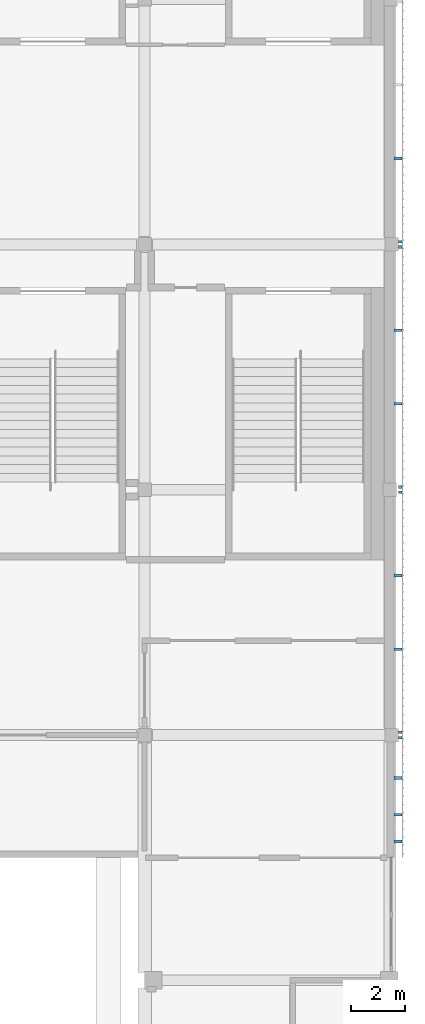
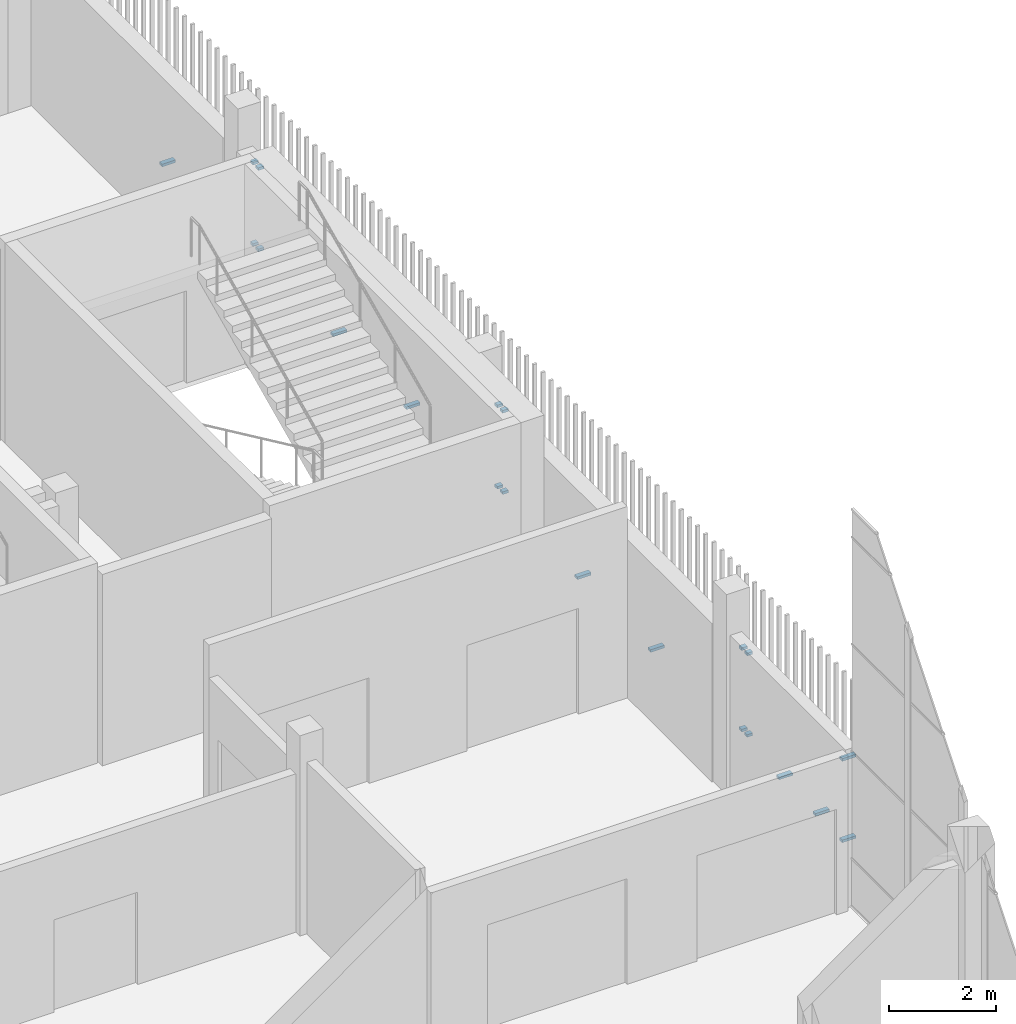
# One storey, part 72 of 91: 21 discrete accessories.
"""IFC4 building model written with IfcOpenShell, lengths in metres."""

from ifc_helpers import new_model, si_unit, direction, frame, origin, origin_2d, place, context, subcontext, project, spatial, rectangle, extrude, material, type_object, element, save


model = new_model("IFC4")

# Units and contexts
model_context = context("Model", 3, precision=1e-05, world=origin(), true_north=direction((0.0, 1.0)))
body_context = subcontext(model_context, "Body", "Model", "MODEL_VIEW")
ifc_project = project(units=[si_unit("LENGTHUNIT", "METRE"), si_unit("AREAUNIT", "SQUARE_METRE"), si_unit("VOLUMEUNIT", "CUBIC_METRE"), si_unit("PLANEANGLEUNIT", "RADIAN"), si_unit("MASSUNIT", "GRAM", prefix="KILO")], contexts=[model_context])

# Site, building, storey
site_placement = place(None, origin())
site = spatial("IfcSite", under=ifc_project, at=site_placement, CompositionType="ELEMENT")
building_placement = place(site_placement, origin())
building = spatial("IfcBuilding", under=site, at=building_placement, Name="Shirokan Park Arena", CompositionType="ELEMENT")
storey_placement = place(building_placement, frame((0.0, 0.0, 24.570068359375)))
storey = spatial("IfcBuildingStorey", under=building, at=storey_placement, Name="L05", CompositionType="ELEMENT", Elevation=24.570068359375)

# Discrete accessories
ifc_material = material(Name="Steel S355", Category="steel")
discrete_accessory_type = type_object("IfcDiscreteAccessoryType", Name="Veil bracket 100x60", PredefinedType="BRACKET", material=ifc_material)
discrete_accessory_1_placement = place(storey_placement, frame((145.8974609375, 68.85009765625, 1.06982421875), z_axis=(0.0, 0.0, 1.0), x_axis=(0.0, 1.0, 0.0)))
element("IfcDiscreteAccessory", 1, at=discrete_accessory_1_placement, inside=storey, type_object=discrete_accessory_type, Name="Veil bracket east bay 8 L05 1", PredefinedType="BRACKET", context=body_context, shape_type="SweptSolid", body=[
    extrude(rectangle(XDim=0.10009765625, YDim=0.294921875, at=origin_2d()), origin(), (0.0, 0.0, 1.0), 0.06005859375),
])
discrete_accessory_2_placement = place(storey_placement, frame((145.985107421875, 72.699951171875, 1.06982421875), z_axis=(0.0, 0.0, 1.0), x_axis=(0.0, 1.0, 0.0)))
element("IfcDiscreteAccessory", 2, at=discrete_accessory_2_placement, inside=storey, type_object=discrete_accessory_type, Name="Veil bracket east bay 8 L05 2", PredefinedType="BRACKET", context=body_context, shape_type="SweptSolid", body=[
    extrude(rectangle(XDim=0.10009765625, YDim=0.1201171875, at=origin_2d()), origin(), (0.0, 0.0, 1.0), 0.06005859375),
])
discrete_accessory_3_placement = place(storey_placement, frame((145.8974609375, 68.85009765625, 2.919921875), z_axis=(0.0, 0.0, 1.0), x_axis=(0.0, 1.0, 0.0)))
element("IfcDiscreteAccessory", 3, at=discrete_accessory_3_placement, inside=storey, type_object=discrete_accessory_type, Name="Veil bracket east bay 8 L05 3", PredefinedType="BRACKET", context=body_context, shape_type="SweptSolid", body=[
    extrude(rectangle(XDim=0.10009765625, YDim=0.294921875, at=origin_2d()), origin(), (0.0, 0.0, 1.0), 0.06005859375),
])
discrete_accessory_4_placement = place(storey_placement, frame((145.985107421875, 72.699951171875, 2.919921875), z_axis=(0.0, 0.0, 1.0), x_axis=(0.0, 1.0, 0.0)))
element("IfcDiscreteAccessory", 4, at=discrete_accessory_4_placement, inside=storey, type_object=discrete_accessory_type, Name="Veil bracket east bay 8 L05 4", PredefinedType="BRACKET", context=body_context, shape_type="SweptSolid", body=[
    extrude(rectangle(XDim=0.10009765625, YDim=0.1201171875, at=origin_2d()), origin(), (0.0, 0.0, 1.0), 0.06005859375),
])
for number, where, z_axis, x_axis, name in (
    (5, (145.8974609375, 69.842529296875, 1.06982421875), (0.0, 0.0, 1.0), (0.0, 1.0, 0.0), "Veil bracket east bay 8 L05 wall 1"),
    (6, (145.8974609375, 71.20751953125, 1.06982421875), (0.0, 0.0, 1.0), (0.0, 1.0, 0.0), "Veil bracket east bay 8 L05 wall 2"),
):
    element("IfcDiscreteAccessory", number, at=place(storey_placement, frame(where, z_axis=z_axis, x_axis=x_axis)), inside=storey, type_object=discrete_accessory_type, Name=name, PredefinedType="BRACKET", context=body_context, shape_type="SweptSolid", body=[
        extrude(rectangle(XDim=0.10009765625, YDim=0.294921875, at=origin_2d()), origin(), (0.0, 0.0, 1.0), 0.06005859375),
    ])
for number, where, z_axis, x_axis, name in (
    (7, (145.985107421875, 72.89990234375, 1.06982421875), (0.0, 0.0, 1.0), (0.0, 1.0, 0.0), "Veil bracket east bay 9 L05 1"),
    (8, (145.985107421875, 81.800048828125, 1.06982421875), (0.0, 0.0, 1.0), (0.0, 1.0, 0.0), "Veil bracket east bay 9 L05 2"),
    (9, (145.985107421875, 72.89990234375, 2.919921875), (0.0, 0.0, 1.0), (0.0, 1.0, 0.0), "Veil bracket east bay 9 L05 3"),
    (10, (145.985107421875, 81.800048828125, 2.919921875), (0.0, 0.0, 1.0), (0.0, 1.0, 0.0), "Veil bracket east bay 9 L05 4"),
):
    element("IfcDiscreteAccessory", number, at=place(storey_placement, frame(where, z_axis=z_axis, x_axis=x_axis)), inside=storey, type_object=discrete_accessory_type, Name=name, PredefinedType="BRACKET", context=body_context, shape_type="SweptSolid", body=[
        extrude(rectangle(XDim=0.10009765625, YDim=0.1201171875, at=origin_2d()), origin(), (0.0, 0.0, 1.0), 0.06005859375),
    ])
for number, where, z_axis, x_axis, name in (
    (11, (145.8974609375, 75.985107421875, 1.06982421875), (0.0, 0.0, 1.0), (0.0, 1.0, 0.0), "Veil bracket east bay 9 L05 wall 1"),
    (12, (145.8974609375, 78.715087890625, 1.06982421875), (0.0, 0.0, 1.0), (0.0, 1.0, 0.0), "Veil bracket east bay 9 L05 wall 2"),
):
    element("IfcDiscreteAccessory", number, at=place(storey_placement, frame(where, z_axis=z_axis, x_axis=x_axis)), inside=storey, type_object=discrete_accessory_type, Name=name, PredefinedType="BRACKET", context=body_context, shape_type="SweptSolid", body=[
        extrude(rectangle(XDim=0.10009765625, YDim=0.294921875, at=origin_2d()), origin(), (0.0, 0.0, 1.0), 0.06005859375),
    ])
for number, where, z_axis, x_axis, name in (
    (13, (145.985107421875, 82.0, 1.06982421875), (0.0, 0.0, 1.0), (0.0, 1.0, 0.0), "Veil bracket east bay 10 L05 1"),
    (14, (145.985107421875, 90.89990234375, 1.06982421875), (0.0, 0.0, 1.0), (0.0, 1.0, 0.0), "Veil bracket east bay 10 L05 2"),
    (15, (145.985107421875, 82.0, 2.919921875), (0.0, 0.0, 1.0), (0.0, 1.0, 0.0), "Veil bracket east bay 10 L05 3"),
    (16, (145.985107421875, 90.89990234375, 2.919921875), (0.0, 0.0, 1.0), (0.0, 1.0, 0.0), "Veil bracket east bay 10 L05 4"),
):
    element("IfcDiscreteAccessory", number, at=place(storey_placement, frame(where, z_axis=z_axis, x_axis=x_axis)), inside=storey, type_object=discrete_accessory_type, Name=name, PredefinedType="BRACKET", context=body_context, shape_type="SweptSolid", body=[
        extrude(rectangle(XDim=0.10009765625, YDim=0.1201171875, at=origin_2d()), origin(), (0.0, 0.0, 1.0), 0.06005859375),
    ])
for number, where, z_axis, x_axis, name in (
    (17, (145.8974609375, 85.0849609375, 1.06982421875), (0.0, 0.0, 1.0), (0.0, 1.0, 0.0), "Veil bracket east bay 10 L05 wall 1"),
    (18, (145.8974609375, 87.81494140625, 1.06982421875), (0.0, 0.0, 1.0), (0.0, 1.0, 0.0), "Veil bracket east bay 10 L05 wall 2"),
):
    element("IfcDiscreteAccessory", number, at=place(storey_placement, frame(where, z_axis=z_axis, x_axis=x_axis)), inside=storey, type_object=discrete_accessory_type, Name=name, PredefinedType="BRACKET", context=body_context, shape_type="SweptSolid", body=[
        extrude(rectangle(XDim=0.10009765625, YDim=0.294921875, at=origin_2d()), origin(), (0.0, 0.0, 1.0), 0.06005859375),
    ])
for number, where, z_axis, x_axis, name in (
    (19, (145.985107421875, 91.10009765625, 1.06982421875), (0.0, 0.0, 1.0), (0.0, 1.0, 0.0), "Veil bracket east bay 11 L05 1"),
    (20, (145.985107421875, 91.10009765625, 2.919921875), (0.0, 0.0, 1.0), (0.0, 1.0, 0.0), "Veil bracket east bay 11 L05 3"),
):
    element("IfcDiscreteAccessory", number, at=place(storey_placement, frame(where, z_axis=z_axis, x_axis=x_axis)), inside=storey, type_object=discrete_accessory_type, Name=name, PredefinedType="BRACKET", context=body_context, shape_type="SweptSolid", body=[
        extrude(rectangle(XDim=0.10009765625, YDim=0.1201171875, at=origin_2d()), origin(), (0.0, 0.0, 1.0), 0.06005859375),
    ])
discrete_accessory_5_placement = place(storey_placement, frame((145.8974609375, 94.18505859375, 1.06982421875), z_axis=(0.0, 0.0, 1.0), x_axis=(0.0, 1.0, 0.0)))
element("IfcDiscreteAccessory", 21, at=discrete_accessory_5_placement, inside=storey, type_object=discrete_accessory_type, Name="Veil bracket east bay 11 L05 wall 1", PredefinedType="BRACKET", context=body_context, shape_type="SweptSolid", body=[
    extrude(rectangle(XDim=0.10009765625, YDim=0.294921875, at=origin_2d()), origin(), (0.0, 0.0, 1.0), 0.06005859375),
])

save(model, "model.ifc")
